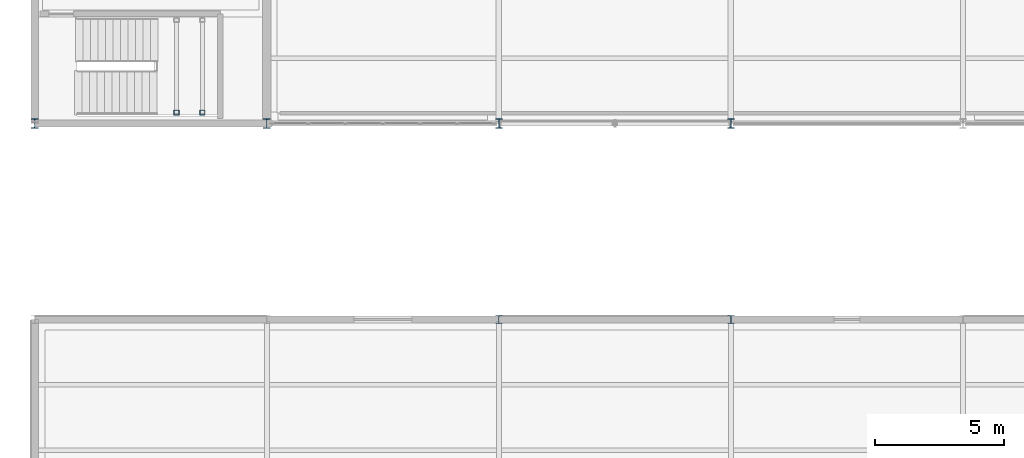
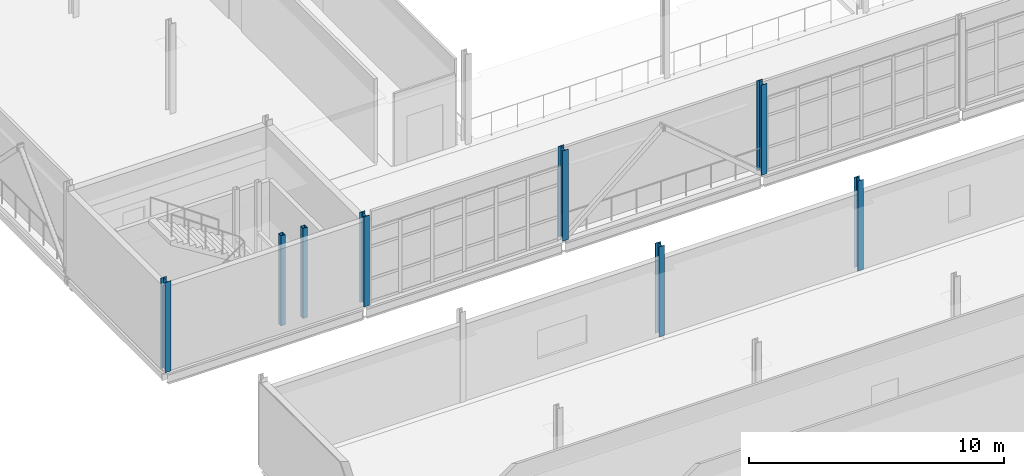
# One storey, part 2 of 174: 8 columns.
"""IFC4 building model written with IfcOpenShell, lengths in metres."""

from ifc_helpers import new_model, si_unit, direction, frame, origin, origin_2d, place, context, subcontext, project, spatial, hollow_rectangle, i_section, extrude, material, material_profile, profile_set, type_object, element, save


model = new_model("IFC4")

# Units and contexts
model_context = context("Model", 3, precision=1e-05, world=origin(), true_north=direction((0.0, 1.0)))
body_context = subcontext(model_context, "Body", "Model", "MODEL_VIEW")
ifc_project = project(units=[si_unit("LENGTHUNIT", "METRE"), si_unit("AREAUNIT", "SQUARE_METRE"), si_unit("VOLUMEUNIT", "CUBIC_METRE"), si_unit("PLANEANGLEUNIT", "RADIAN"), si_unit("MASSUNIT", "GRAM", prefix="KILO")], contexts=[model_context])

# Site, building, storey
site_placement = place(None, origin())
site = spatial("IfcSite", under=ifc_project, at=site_placement, CompositionType="ELEMENT")
building_placement = place(site_placement, origin())
building = spatial("IfcBuilding", under=site, at=building_placement, Name="Caisbarro Railhouse Central Library", CompositionType="ELEMENT")
storey_placement = place(building_placement, frame((0.0, 0.0, 5.0400390625)))
storey = spatial("IfcBuildingStorey", under=building, at=storey_placement, Name="L01", CompositionType="ELEMENT", Elevation=5.0400390625)

# Columns
ifc_material = material(Name="Steel ASTM A572 Grade 50", Category="steel")
ifc_material_profile_1 = material_profile(ifc_material, i_section(OverallWidth=0.257080078125, OverallDepth=0.363037109375, WebThickness=0.012939453125, FlangeThickness=0.021728515625, FilletRadius=0.014892578125, at=origin_2d()), Name="W360X122.0")
ifc_profile_set_1 = profile_set([ifc_material_profile_1], Name="Steel ASTM A572 Grade 50")
column_type_1 = type_object("IfcColumnType", Name="COL-C04", PredefinedType="COLUMN", material=ifc_profile_set_1)
for number, where, z_axis, x_axis, name in (
    (1, (0.0, 30.39990234375, 0.0), (0.0, 0.0, 1.0), (1.0, 0.0, 0.0), "C04 column L01 (0.0,30.4)"),
    (2, (9.0, 30.39990234375, 0.0), (0.0, 0.0, 1.0), (1.0, 0.0, 0.0), "C04 column L01 (9.0,30.4)"),
    (3, (18.0, 30.39990234375, 0.0), (0.0, 0.0, 1.0), (1.0, 0.0, 0.0), "C04 column L01 (18.0,30.4)"),
    (4, (27.0, 30.39990234375, 0.0), (0.0, 0.0, 1.0), (1.0, 0.0, 0.0), "C04 column L01 (27.0,30.4)"),
):
    element("IfcColumn", number, at=place(storey_placement, frame(where, z_axis=z_axis, x_axis=x_axis)), inside=storey, type_object=column_type_1, Name=name, PredefinedType="COLUMN", context=body_context, shape_type="SweptSolid", body=[
        extrude(i_section(OverallWidth=0.257080078125, OverallDepth=0.363037109375, WebThickness=0.012939453125, FlangeThickness=0.021728515625, FilletRadius=0.014892578125, at=origin_2d()), origin(), (0.0, 0.0, 1.0), 4.320068359375),
    ])
ifc_material_profile_2 = material_profile(ifc_material, i_section(OverallWidth=0.25390625, OverallDepth=0.305908203125, WebThickness=0.0087890625, FlangeThickness=0.0146484375, FilletRadius=0.014892578125, at=origin_2d()), Name="W310X79.0")
ifc_profile_set_2 = profile_set([ifc_material_profile_2], Name="Steel ASTM A572 Grade 50")
column_type_2 = type_object("IfcColumnType", Name="COL-C07", PredefinedType="COLUMN", material=ifc_profile_set_2)
for number, where, z_axis, x_axis, name in (
    (5, (18.0, 22.800048828125, 0.0), (0.0, 0.0, 1.0), (1.0, 0.0, 0.0), "C07 column L01 (18.0,22.8)"),
    (6, (27.0, 22.800048828125, 0.0), (0.0, 0.0, 1.0), (1.0, 0.0, 0.0), "C07 column L01 (27.0,22.8)"),
):
    element("IfcColumn", number, at=place(storey_placement, frame(where, z_axis=z_axis, x_axis=x_axis)), inside=storey, type_object=column_type_2, Name=name, PredefinedType="COLUMN", context=body_context, shape_type="SweptSolid", body=[
        extrude(i_section(OverallWidth=0.25390625, OverallDepth=0.305908203125, WebThickness=0.0087890625, FlangeThickness=0.0146484375, FilletRadius=0.014892578125, at=origin_2d()), origin(), (0.0, 0.0, 1.0), 4.320068359375),
    ])
ifc_material_profile_3 = material_profile(ifc_material, hollow_rectangle(XDim=0.199951171875, YDim=0.199951171875, WallThickness=0.012451171875, at=origin_2d()), Name="HSS200X200X12.5")
ifc_profile_set_3 = profile_set([ifc_material_profile_3], Name="Steel ASTM A572 Grade 50")
column_type_3 = type_object("IfcColumnType", Name="COL-C10", PredefinedType="COLUMN", material=ifc_profile_set_3)
for number, where, z_axis, x_axis, name in (
    (7, (5.5, 30.820068359375, 0.0), (0.0, 0.0, 1.0), (1.0, 0.0, 0.0), "C10 Stair Landing Post K6 L01.1"),
    (8, (6.5, 30.820068359375, 0.0), (0.0, 0.0, 1.0), (1.0, 0.0, 0.0), "C10 Stair Landing Post K6 L01.3"),
):
    element("IfcColumn", number, at=place(storey_placement, frame(where, z_axis=z_axis, x_axis=x_axis)), inside=storey, type_object=column_type_3, Name=name, PredefinedType="COLUMN", context=body_context, shape_type="SweptSolid", body=[
        extrude(hollow_rectangle(XDim=0.199951171875, YDim=0.199951171875, WallThickness=0.012451171875, at=origin_2d()), origin(), (0.0, 0.0, 1.0), 4.320068359375),
    ])

save(model, "model.ifc")
